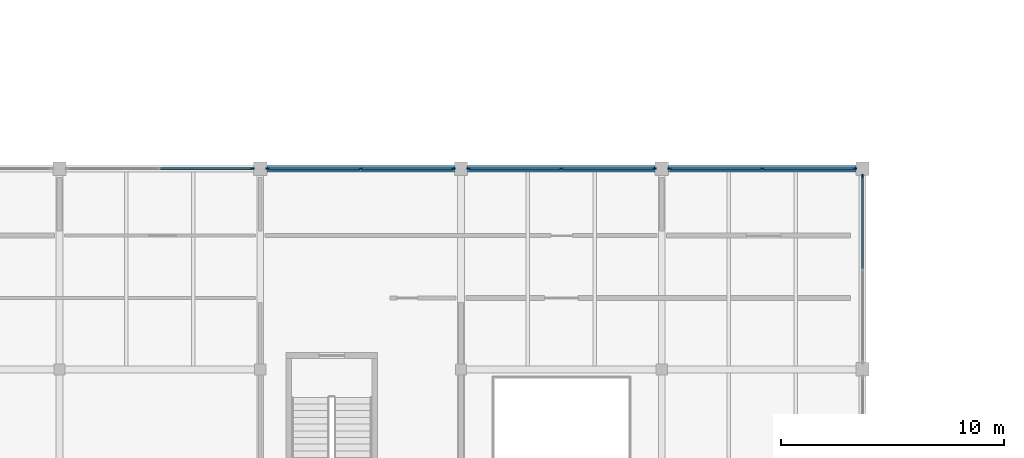
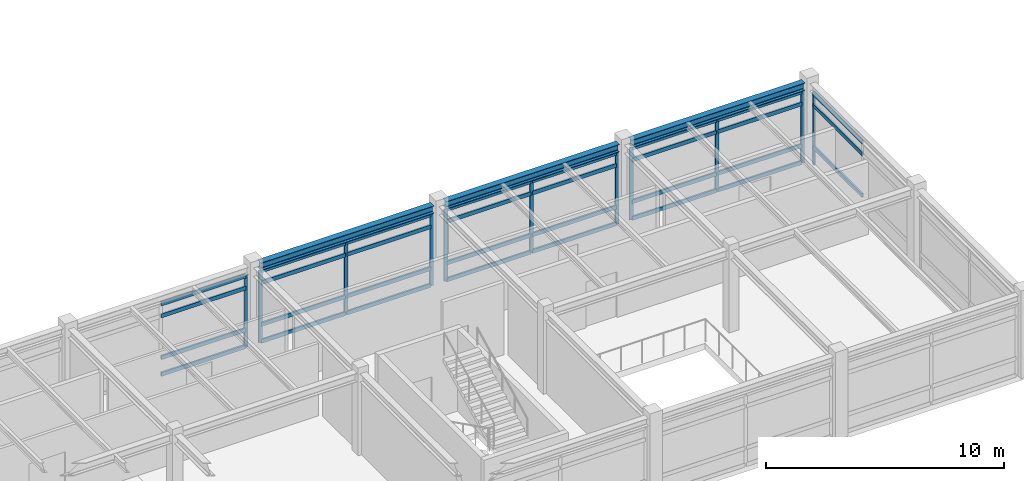
# One storey, part 9 of 33: 42 members, 3 beams, 5 elements without a shape of their own.
"""IFC4 building model written with IfcOpenShell, lengths in metres."""

from ifc_helpers import new_model, si_unit, direction, frame, origin, origin_2d, place, context, subcontext, project, spatial, rectangle, i_section, extrude, material, material_profile, profile_set, type_object, element, aggregate, save


model = new_model("IFC4")

# Units and contexts
model_context = context("Model", 3, precision=1e-05, world=origin(), true_north=direction((0.0, 1.0)))
body_context = subcontext(model_context, "Body", "Model", "MODEL_VIEW")
ifc_project = project(units=[si_unit("LENGTHUNIT", "METRE"), si_unit("AREAUNIT", "SQUARE_METRE"), si_unit("VOLUMEUNIT", "CUBIC_METRE"), si_unit("PLANEANGLEUNIT", "RADIAN"), si_unit("MASSUNIT", "GRAM", prefix="KILO")], contexts=[model_context])

# Site, building, storey
site_placement = place(None, origin())
site = spatial("IfcSite", under=ifc_project, at=site_placement, CompositionType="ELEMENT")
building_placement = place(site_placement, origin())
building = spatial("IfcBuilding", under=site, at=building_placement, Name="Bozkorgan Art Gallery", CompositionType="ELEMENT")
storey_placement = place(building_placement, frame((0.0, 0.0, 19.5)))
storey = spatial("IfcBuildingStorey", under=building, at=storey_placement, Name="L04", CompositionType="ELEMENT", Elevation=19.5)

# Beams
ifc_material_1 = material(Name="Steel S355J2", Category="steel")
ifc_material_profile_1 = material_profile(ifc_material_1, i_section(OverallWidth=0.300048828125, OverallDepth=0.389892578125, WebThickness=0.010986328125, FlangeThickness=0.01904296875, FilletRadius=0.027099609375, at=origin_2d()), Name="HEA 400")
ifc_profile_set_1 = profile_set([ifc_material_profile_1], Name="Steel S355J2")
beam_type = type_object("IfcBeamType", Name="BEAM-SP-65", PredefinedType="SPANDREL", material=ifc_profile_set_1)
for number, where, z_axis, x_axis, name in (
    (1, (38.300048828125, 20.0, 3.985107421875), (1.0, 0.0, 0.0), (0.0, 1.0, 0.0), "V1 L04 spandrel X (38-47, 20.0)"),
    (2, (47.300048828125, 20.0, 3.985107421875), (1.0, 0.0, 0.0), (0.0, 1.0, 0.0), "V1 L04 spandrel X (47-56, 20.0)"),
    (3, (56.300048828125, 20.0, 3.985107421875), (1.0, 0.0, 0.0), (0.0, 1.0, 0.0), "V1 L04 spandrel X (56-65, 20.0)"),
):
    element("IfcBeam", number, at=place(storey_placement, frame(where, z_axis=z_axis, x_axis=x_axis)), inside=storey, type_object=beam_type, Name=name, PredefinedType="SPANDREL", context=body_context, shape_type="SweptSolid", body=[
        extrude(i_section(OverallWidth=0.300048828125, OverallDepth=0.389892578125, WebThickness=0.010986328125, FlangeThickness=0.01904296875, FilletRadius=0.027099609375, at=origin_2d()), origin(), (0.0, 0.0, 1.0), 8.39990234375),
    ])

# Curtain wall, member
ifc_material_2 = material(Name="Anodised Bronze Aluminium", Category="aluminium")
curtain_wall_type = type_object("IfcCurtainWallType", Name="CW-CW-71", PredefinedType="NOTDEFINED", material=ifc_material_2)
curtain_wall_1_placement = place(storey_placement, origin())
curtain_wall_1 = element("IfcCurtainWall", 4, at=curtain_wall_1_placement, inside=storey, type_object=curtain_wall_type, Name="L04 unitised curtain wall CW-V1-L04-1N-08", PredefinedType="NOTDEFINED")
ifc_material_profile_2 = material_profile(ifc_material_2, rectangle(XDim=0.06494140625, YDim=0.179931640625, at=origin_2d()), Name="ALU MULLION 65x180")
ifc_profile_set_2 = profile_set([ifc_material_profile_2], Name="Anodised Bronze Aluminium")
member_type_1 = type_object("IfcMemberType", Name="CWM-01", PredefinedType="MULLION", material=ifc_profile_set_2)
member_1_placement = place(storey_placement, frame((37.652587890625, 20.0, 0.02001953125), z_axis=(0.0, 0.0, 1.0), x_axis=(0.0, 1.0, 0.0)))
member_1 = element("IfcMember", 5, at=member_1_placement, type_object=member_type_1, Name="CW-71 mullion 3", PredefinedType="MULLION", context=body_context, shape_type="SweptSolid", body=[
    extrude(rectangle(XDim=0.06494140625, YDim=0.179931640625, at=origin_2d()), origin(), (0.0, 0.0, 1.0), 3.695068359375),
])

# Curtain wall, members
curtain_wall_2_placement = place(storey_placement, origin())
curtain_wall_2 = element("IfcCurtainWall", 6, at=curtain_wall_2_placement, inside=storey, type_object=curtain_wall_type, Name="L04 unitised curtain wall CW-V1-L04-1N-10", PredefinedType="NOTDEFINED")
member_2_placement = place(storey_placement, frame((38.347412109375, 20.0, 0.02001953125), z_axis=(0.0, 0.0, 1.0), x_axis=(0.0, 1.0, 0.0)))
member_2 = element("IfcMember", 7, at=member_2_placement, type_object=member_type_1, Name="CW-71 mullion 1", PredefinedType="MULLION", context=body_context, shape_type="SweptSolid", body=[
    extrude(rectangle(XDim=0.06494140625, YDim=0.179931640625, at=origin_2d()), origin(), (0.0, 0.0, 1.0), 3.695068359375),
])
member_3_placement = place(storey_placement, frame((42.5, 20.0, 0.02001953125), z_axis=(0.0, 0.0, 1.0), x_axis=(0.0, 1.0, 0.0)))
member_3 = element("IfcMember", 8, at=member_3_placement, type_object=member_type_1, Name="CW-71 mullion 2", PredefinedType="MULLION", context=body_context, shape_type="SweptSolid", body=[
    extrude(rectangle(XDim=0.06494140625, YDim=0.179931640625, at=origin_2d()), origin(), (0.0, 0.0, 1.0), 3.695068359375),
])
member_4_placement = place(storey_placement, frame((46.652587890625, 20.0, 0.02001953125), z_axis=(0.0, 0.0, 1.0), x_axis=(0.0, 1.0, 0.0)))
member_4 = element("IfcMember", 9, at=member_4_placement, type_object=member_type_1, Name="CW-71 mullion 3", PredefinedType="MULLION", context=body_context, shape_type="SweptSolid", body=[
    extrude(rectangle(XDim=0.06494140625, YDim=0.179931640625, at=origin_2d()), origin(), (0.0, 0.0, 1.0), 3.695068359375),
])

curtain_wall_3_placement = place(storey_placement, origin())
curtain_wall_3 = element("IfcCurtainWall", 10, at=curtain_wall_3_placement, inside=storey, type_object=curtain_wall_type, Name="L04 unitised curtain wall CW-V1-L04-1N-12", PredefinedType="NOTDEFINED")
member_5_placement = place(storey_placement, frame((47.347412109375, 20.0, 0.02001953125), z_axis=(0.0, 0.0, 1.0), x_axis=(0.0, 1.0, 0.0)))
member_5 = element("IfcMember", 11, at=member_5_placement, type_object=member_type_1, Name="CW-71 mullion 1", PredefinedType="MULLION", context=body_context, shape_type="SweptSolid", body=[
    extrude(rectangle(XDim=0.06494140625, YDim=0.179931640625, at=origin_2d()), origin(), (0.0, 0.0, 1.0), 3.695068359375),
])
member_6_placement = place(storey_placement, frame((51.5, 20.0, 0.02001953125), z_axis=(0.0, 0.0, 1.0), x_axis=(0.0, 1.0, 0.0)))
member_6 = element("IfcMember", 12, at=member_6_placement, type_object=member_type_1, Name="CW-71 mullion 2", PredefinedType="MULLION", context=body_context, shape_type="SweptSolid", body=[
    extrude(rectangle(XDim=0.06494140625, YDim=0.179931640625, at=origin_2d()), origin(), (0.0, 0.0, 1.0), 3.695068359375),
])
member_7_placement = place(storey_placement, frame((55.652587890625, 20.0, 0.02001953125), z_axis=(0.0, 0.0, 1.0), x_axis=(0.0, 1.0, 0.0)))
member_7 = element("IfcMember", 13, at=member_7_placement, type_object=member_type_1, Name="CW-71 mullion 3", PredefinedType="MULLION", context=body_context, shape_type="SweptSolid", body=[
    extrude(rectangle(XDim=0.06494140625, YDim=0.179931640625, at=origin_2d()), origin(), (0.0, 0.0, 1.0), 3.695068359375),
])

curtain_wall_4_placement = place(storey_placement, origin())
curtain_wall_4 = element("IfcCurtainWall", 14, at=curtain_wall_4_placement, inside=storey, type_object=curtain_wall_type, Name="L04 unitised curtain wall CW-V1-L04-1N-14", PredefinedType="NOTDEFINED")
member_8_placement = place(storey_placement, frame((56.347412109375, 20.0, 0.02001953125), z_axis=(0.0, 0.0, 1.0), x_axis=(0.0, 1.0, 0.0)))
member_8 = element("IfcMember", 15, at=member_8_placement, type_object=member_type_1, Name="CW-71 mullion 1", PredefinedType="MULLION", context=body_context, shape_type="SweptSolid", body=[
    extrude(rectangle(XDim=0.06494140625, YDim=0.179931640625, at=origin_2d()), origin(), (0.0, 0.0, 1.0), 3.695068359375),
])
member_9_placement = place(storey_placement, frame((60.5, 20.0, 0.02001953125), z_axis=(0.0, 0.0, 1.0), x_axis=(0.0, 1.0, 0.0)))
member_9 = element("IfcMember", 16, at=member_9_placement, type_object=member_type_1, Name="CW-71 mullion 2", PredefinedType="MULLION", context=body_context, shape_type="SweptSolid", body=[
    extrude(rectangle(XDim=0.06494140625, YDim=0.179931640625, at=origin_2d()), origin(), (0.0, 0.0, 1.0), 3.695068359375),
])
member_10_placement = place(storey_placement, frame((64.652587890625, 20.0, 0.02001953125), z_axis=(0.0, 0.0, 1.0), x_axis=(0.0, 1.0, 0.0)))
member_10 = element("IfcMember", 17, at=member_10_placement, type_object=member_type_1, Name="CW-71 mullion 3", PredefinedType="MULLION", context=body_context, shape_type="SweptSolid", body=[
    extrude(rectangle(XDim=0.06494140625, YDim=0.179931640625, at=origin_2d()), origin(), (0.0, 0.0, 1.0), 3.695068359375),
])

# Curtain wall, member
curtain_wall_5_placement = place(storey_placement, origin())
curtain_wall_5 = element("IfcCurtainWall", 18, at=curtain_wall_5_placement, inside=storey, type_object=curtain_wall_type, Name="L04 unitised curtain wall CW-V1-L04-1E-18", PredefinedType="NOTDEFINED")
member_11_placement = place(storey_placement, frame((65.0, 19.652587890625, 0.02001953125), z_axis=(0.0, 0.0, 1.0), x_axis=(-1.0, 0.0, 0.0)))
member_11 = element("IfcMember", 19, at=member_11_placement, type_object=member_type_1, Name="CW-71 mullion 3", PredefinedType="MULLION", context=body_context, shape_type="SweptSolid", body=[
    extrude(rectangle(XDim=0.06494140625, YDim=0.179931640625, at=origin_2d()), origin(), (0.0, 0.0, 1.0), 3.695068359375),
])

# Member
ifc_material_profile_3 = material_profile(ifc_material_2, rectangle(XDim=0.080078125, YDim=0.199951171875, at=origin_2d()), Name="ALU TRANSOM 80x200")
ifc_profile_set_3 = profile_set([ifc_material_profile_3], Name="Anodised Bronze Aluminium")
member_type_2 = type_object("IfcMemberType", Name="CWT-03", PredefinedType="USERDEFINED", material=ifc_profile_set_3)
member_12_placement = place(storey_placement, frame((33.532470703125, 20.0, 0.06005859375), z_axis=(1.0, 0.0, 0.0), x_axis=(0.0, 1.0, 0.0)))
member_12 = element("IfcMember", 20, at=member_12_placement, type_object=member_type_2, Name="CW-71 transom 2.1", ObjectType="TRANSOM", PredefinedType="USERDEFINED", context=body_context, shape_type="SweptSolid", body=[
    extrude(rectangle(XDim=0.080078125, YDim=0.199951171875, at=origin_2d()), origin(), (0.0, 0.0, 1.0), 4.087646484375),
])

member_13_placement = place(storey_placement, frame((33.532470703125, 20.0, 0.919921875), z_axis=(1.0, 0.0, 0.0), x_axis=(0.0, 1.0, 0.0)))
member_13 = element("IfcMember", 21, at=member_13_placement, type_object=member_type_2, Name="CW-71 transom 2.2", ObjectType="TRANSOM", PredefinedType="USERDEFINED", context=body_context, shape_type="SweptSolid", body=[
    extrude(rectangle(XDim=0.080078125, YDim=0.199951171875, at=origin_2d()), origin(), (0.0, 0.0, 1.0), 4.087646484375),
])

member_14_placement = place(storey_placement, frame((33.532470703125, 20.0, 3.06494140625), z_axis=(1.0, 0.0, 0.0), x_axis=(0.0, 1.0, 0.0)))
member_14 = element("IfcMember", 22, at=member_14_placement, type_object=member_type_2, Name="CW-71 transom 2.3", ObjectType="TRANSOM", PredefinedType="USERDEFINED", context=body_context, shape_type="SweptSolid", body=[
    extrude(rectangle(XDim=0.080078125, YDim=0.199951171875, at=origin_2d()), origin(), (0.0, 0.0, 1.0), 4.087646484375),
])

member_15_placement = place(storey_placement, frame((33.532470703125, 20.0, 3.675048828125), z_axis=(1.0, 0.0, 0.0), x_axis=(0.0, 1.0, 0.0)))
member_15 = element("IfcMember", 23, at=member_15_placement, type_object=member_type_2, Name="CW-71 transom 2.4", ObjectType="TRANSOM", PredefinedType="USERDEFINED", context=body_context, shape_type="SweptSolid", body=[
    extrude(rectangle(XDim=0.080078125, YDim=0.199951171875, at=origin_2d()), origin(), (0.0, 0.0, 1.0), 4.087646484375),
])

aggregate(curtain_wall_1, [member_1, member_12, member_13, member_14, member_15])

member_16_placement = place(storey_placement, frame((38.3798828125, 20.0, 0.06005859375), z_axis=(1.0, 0.0, 0.0), x_axis=(0.0, 1.0, 0.0)))
member_16 = element("IfcMember", 24, at=member_16_placement, type_object=member_type_2, Name="CW-71 transom 1.1", ObjectType="TRANSOM", PredefinedType="USERDEFINED", context=body_context, shape_type="SweptSolid", body=[
    extrude(rectangle(XDim=0.080078125, YDim=0.199951171875, at=origin_2d()), origin(), (0.0, 0.0, 1.0), 4.087646484375),
])

member_17_placement = place(storey_placement, frame((38.3798828125, 20.0, 0.919921875), z_axis=(1.0, 0.0, 0.0), x_axis=(0.0, 1.0, 0.0)))
member_17 = element("IfcMember", 25, at=member_17_placement, type_object=member_type_2, Name="CW-71 transom 1.2", ObjectType="TRANSOM", PredefinedType="USERDEFINED", context=body_context, shape_type="SweptSolid", body=[
    extrude(rectangle(XDim=0.080078125, YDim=0.199951171875, at=origin_2d()), origin(), (0.0, 0.0, 1.0), 4.087646484375),
])

member_18_placement = place(storey_placement, frame((38.3798828125, 20.0, 3.06494140625), z_axis=(1.0, 0.0, 0.0), x_axis=(0.0, 1.0, 0.0)))
member_18 = element("IfcMember", 26, at=member_18_placement, type_object=member_type_2, Name="CW-71 transom 1.3", ObjectType="TRANSOM", PredefinedType="USERDEFINED", context=body_context, shape_type="SweptSolid", body=[
    extrude(rectangle(XDim=0.080078125, YDim=0.199951171875, at=origin_2d()), origin(), (0.0, 0.0, 1.0), 4.087646484375),
])

member_19_placement = place(storey_placement, frame((38.3798828125, 20.0, 3.675048828125), z_axis=(1.0, 0.0, 0.0), x_axis=(0.0, 1.0, 0.0)))
member_19 = element("IfcMember", 27, at=member_19_placement, type_object=member_type_2, Name="CW-71 transom 1.4", ObjectType="TRANSOM", PredefinedType="USERDEFINED", context=body_context, shape_type="SweptSolid", body=[
    extrude(rectangle(XDim=0.080078125, YDim=0.199951171875, at=origin_2d()), origin(), (0.0, 0.0, 1.0), 4.087646484375),
])

member_20_placement = place(storey_placement, frame((42.532470703125, 20.0, 0.06005859375), z_axis=(1.0, 0.0, 0.0), x_axis=(0.0, 1.0, 0.0)))
member_20 = element("IfcMember", 28, at=member_20_placement, type_object=member_type_2, Name="CW-71 transom 2.1", ObjectType="TRANSOM", PredefinedType="USERDEFINED", context=body_context, shape_type="SweptSolid", body=[
    extrude(rectangle(XDim=0.080078125, YDim=0.199951171875, at=origin_2d()), origin(), (0.0, 0.0, 1.0), 4.087646484375),
])

member_21_placement = place(storey_placement, frame((42.532470703125, 20.0, 0.919921875), z_axis=(1.0, 0.0, 0.0), x_axis=(0.0, 1.0, 0.0)))
member_21 = element("IfcMember", 29, at=member_21_placement, type_object=member_type_2, Name="CW-71 transom 2.2", ObjectType="TRANSOM", PredefinedType="USERDEFINED", context=body_context, shape_type="SweptSolid", body=[
    extrude(rectangle(XDim=0.080078125, YDim=0.199951171875, at=origin_2d()), origin(), (0.0, 0.0, 1.0), 4.087646484375),
])

member_22_placement = place(storey_placement, frame((42.532470703125, 20.0, 3.06494140625), z_axis=(1.0, 0.0, 0.0), x_axis=(0.0, 1.0, 0.0)))
member_22 = element("IfcMember", 30, at=member_22_placement, type_object=member_type_2, Name="CW-71 transom 2.3", ObjectType="TRANSOM", PredefinedType="USERDEFINED", context=body_context, shape_type="SweptSolid", body=[
    extrude(rectangle(XDim=0.080078125, YDim=0.199951171875, at=origin_2d()), origin(), (0.0, 0.0, 1.0), 4.087646484375),
])

member_23_placement = place(storey_placement, frame((42.532470703125, 20.0, 3.675048828125), z_axis=(1.0, 0.0, 0.0), x_axis=(0.0, 1.0, 0.0)))
member_23 = element("IfcMember", 31, at=member_23_placement, type_object=member_type_2, Name="CW-71 transom 2.4", ObjectType="TRANSOM", PredefinedType="USERDEFINED", context=body_context, shape_type="SweptSolid", body=[
    extrude(rectangle(XDim=0.080078125, YDim=0.199951171875, at=origin_2d()), origin(), (0.0, 0.0, 1.0), 4.087646484375),
])

aggregate(curtain_wall_2, [member_2, member_3, member_4, member_16, member_17, member_18, member_19, member_20, member_21, member_22, member_23])

member_24_placement = place(storey_placement, frame((47.3798828125, 20.0, 0.06005859375), z_axis=(1.0, 0.0, 0.0), x_axis=(0.0, 1.0, 0.0)))
member_24 = element("IfcMember", 32, at=member_24_placement, type_object=member_type_2, Name="CW-71 transom 1.1", ObjectType="TRANSOM", PredefinedType="USERDEFINED", context=body_context, shape_type="SweptSolid", body=[
    extrude(rectangle(XDim=0.080078125, YDim=0.199951171875, at=origin_2d()), origin(), (0.0, 0.0, 1.0), 4.087646484375),
])

member_25_placement = place(storey_placement, frame((47.3798828125, 20.0, 0.919921875), z_axis=(1.0, 0.0, 0.0), x_axis=(0.0, 1.0, 0.0)))
member_25 = element("IfcMember", 33, at=member_25_placement, type_object=member_type_2, Name="CW-71 transom 1.2", ObjectType="TRANSOM", PredefinedType="USERDEFINED", context=body_context, shape_type="SweptSolid", body=[
    extrude(rectangle(XDim=0.080078125, YDim=0.199951171875, at=origin_2d()), origin(), (0.0, 0.0, 1.0), 4.087646484375),
])

member_26_placement = place(storey_placement, frame((47.3798828125, 20.0, 3.06494140625), z_axis=(1.0, 0.0, 0.0), x_axis=(0.0, 1.0, 0.0)))
member_26 = element("IfcMember", 34, at=member_26_placement, type_object=member_type_2, Name="CW-71 transom 1.3", ObjectType="TRANSOM", PredefinedType="USERDEFINED", context=body_context, shape_type="SweptSolid", body=[
    extrude(rectangle(XDim=0.080078125, YDim=0.199951171875, at=origin_2d()), origin(), (0.0, 0.0, 1.0), 4.087646484375),
])

member_27_placement = place(storey_placement, frame((47.3798828125, 20.0, 3.675048828125), z_axis=(1.0, 0.0, 0.0), x_axis=(0.0, 1.0, 0.0)))
member_27 = element("IfcMember", 35, at=member_27_placement, type_object=member_type_2, Name="CW-71 transom 1.4", ObjectType="TRANSOM", PredefinedType="USERDEFINED", context=body_context, shape_type="SweptSolid", body=[
    extrude(rectangle(XDim=0.080078125, YDim=0.199951171875, at=origin_2d()), origin(), (0.0, 0.0, 1.0), 4.087646484375),
])

member_28_placement = place(storey_placement, frame((51.532470703125, 20.0, 0.06005859375), z_axis=(1.0, 0.0, 0.0), x_axis=(0.0, 1.0, 0.0)))
member_28 = element("IfcMember", 36, at=member_28_placement, type_object=member_type_2, Name="CW-71 transom 2.1", ObjectType="TRANSOM", PredefinedType="USERDEFINED", context=body_context, shape_type="SweptSolid", body=[
    extrude(rectangle(XDim=0.080078125, YDim=0.199951171875, at=origin_2d()), origin(), (0.0, 0.0, 1.0), 4.087646484375),
])

member_29_placement = place(storey_placement, frame((51.532470703125, 20.0, 0.919921875), z_axis=(1.0, 0.0, 0.0), x_axis=(0.0, 1.0, 0.0)))
member_29 = element("IfcMember", 37, at=member_29_placement, type_object=member_type_2, Name="CW-71 transom 2.2", ObjectType="TRANSOM", PredefinedType="USERDEFINED", context=body_context, shape_type="SweptSolid", body=[
    extrude(rectangle(XDim=0.080078125, YDim=0.199951171875, at=origin_2d()), origin(), (0.0, 0.0, 1.0), 4.087646484375),
])

member_30_placement = place(storey_placement, frame((51.532470703125, 20.0, 3.06494140625), z_axis=(1.0, 0.0, 0.0), x_axis=(0.0, 1.0, 0.0)))
member_30 = element("IfcMember", 38, at=member_30_placement, type_object=member_type_2, Name="CW-71 transom 2.3", ObjectType="TRANSOM", PredefinedType="USERDEFINED", context=body_context, shape_type="SweptSolid", body=[
    extrude(rectangle(XDim=0.080078125, YDim=0.199951171875, at=origin_2d()), origin(), (0.0, 0.0, 1.0), 4.087646484375),
])

member_31_placement = place(storey_placement, frame((51.532470703125, 20.0, 3.675048828125), z_axis=(1.0, 0.0, 0.0), x_axis=(0.0, 1.0, 0.0)))
member_31 = element("IfcMember", 39, at=member_31_placement, type_object=member_type_2, Name="CW-71 transom 2.4", ObjectType="TRANSOM", PredefinedType="USERDEFINED", context=body_context, shape_type="SweptSolid", body=[
    extrude(rectangle(XDim=0.080078125, YDim=0.199951171875, at=origin_2d()), origin(), (0.0, 0.0, 1.0), 4.087646484375),
])

aggregate(curtain_wall_3, [member_5, member_6, member_7, member_24, member_25, member_26, member_27, member_28, member_29, member_30, member_31])

member_32_placement = place(storey_placement, frame((56.3798828125, 20.0, 0.06005859375), z_axis=(1.0, 0.0, 0.0), x_axis=(0.0, 1.0, 0.0)))
member_32 = element("IfcMember", 40, at=member_32_placement, type_object=member_type_2, Name="CW-71 transom 1.1", ObjectType="TRANSOM", PredefinedType="USERDEFINED", context=body_context, shape_type="SweptSolid", body=[
    extrude(rectangle(XDim=0.080078125, YDim=0.199951171875, at=origin_2d()), origin(), (0.0, 0.0, 1.0), 4.087646484375),
])

member_33_placement = place(storey_placement, frame((56.3798828125, 20.0, 0.919921875), z_axis=(1.0, 0.0, 0.0), x_axis=(0.0, 1.0, 0.0)))
member_33 = element("IfcMember", 41, at=member_33_placement, type_object=member_type_2, Name="CW-71 transom 1.2", ObjectType="TRANSOM", PredefinedType="USERDEFINED", context=body_context, shape_type="SweptSolid", body=[
    extrude(rectangle(XDim=0.080078125, YDim=0.199951171875, at=origin_2d()), origin(), (0.0, 0.0, 1.0), 4.087646484375),
])

member_34_placement = place(storey_placement, frame((56.3798828125, 20.0, 3.06494140625), z_axis=(1.0, 0.0, 0.0), x_axis=(0.0, 1.0, 0.0)))
member_34 = element("IfcMember", 42, at=member_34_placement, type_object=member_type_2, Name="CW-71 transom 1.3", ObjectType="TRANSOM", PredefinedType="USERDEFINED", context=body_context, shape_type="SweptSolid", body=[
    extrude(rectangle(XDim=0.080078125, YDim=0.199951171875, at=origin_2d()), origin(), (0.0, 0.0, 1.0), 4.087646484375),
])

member_35_placement = place(storey_placement, frame((56.3798828125, 20.0, 3.675048828125), z_axis=(1.0, 0.0, 0.0), x_axis=(0.0, 1.0, 0.0)))
member_35 = element("IfcMember", 43, at=member_35_placement, type_object=member_type_2, Name="CW-71 transom 1.4", ObjectType="TRANSOM", PredefinedType="USERDEFINED", context=body_context, shape_type="SweptSolid", body=[
    extrude(rectangle(XDim=0.080078125, YDim=0.199951171875, at=origin_2d()), origin(), (0.0, 0.0, 1.0), 4.087646484375),
])

member_36_placement = place(storey_placement, frame((60.532470703125, 20.0, 0.06005859375), z_axis=(1.0, 0.0, 0.0), x_axis=(0.0, 1.0, 0.0)))
member_36 = element("IfcMember", 44, at=member_36_placement, type_object=member_type_2, Name="CW-71 transom 2.1", ObjectType="TRANSOM", PredefinedType="USERDEFINED", context=body_context, shape_type="SweptSolid", body=[
    extrude(rectangle(XDim=0.080078125, YDim=0.199951171875, at=origin_2d()), origin(), (0.0, 0.0, 1.0), 4.087646484375),
])

member_37_placement = place(storey_placement, frame((60.532470703125, 20.0, 0.919921875), z_axis=(1.0, 0.0, 0.0), x_axis=(0.0, 1.0, 0.0)))
member_37 = element("IfcMember", 45, at=member_37_placement, type_object=member_type_2, Name="CW-71 transom 2.2", ObjectType="TRANSOM", PredefinedType="USERDEFINED", context=body_context, shape_type="SweptSolid", body=[
    extrude(rectangle(XDim=0.080078125, YDim=0.199951171875, at=origin_2d()), origin(), (0.0, 0.0, 1.0), 4.087646484375),
])

member_38_placement = place(storey_placement, frame((60.532470703125, 20.0, 3.06494140625), z_axis=(1.0, 0.0, 0.0), x_axis=(0.0, 1.0, 0.0)))
member_38 = element("IfcMember", 46, at=member_38_placement, type_object=member_type_2, Name="CW-71 transom 2.3", ObjectType="TRANSOM", PredefinedType="USERDEFINED", context=body_context, shape_type="SweptSolid", body=[
    extrude(rectangle(XDim=0.080078125, YDim=0.199951171875, at=origin_2d()), origin(), (0.0, 0.0, 1.0), 4.087646484375),
])

member_39_placement = place(storey_placement, frame((60.532470703125, 20.0, 3.675048828125), z_axis=(1.0, 0.0, 0.0), x_axis=(0.0, 1.0, 0.0)))
member_39 = element("IfcMember", 47, at=member_39_placement, type_object=member_type_2, Name="CW-71 transom 2.4", ObjectType="TRANSOM", PredefinedType="USERDEFINED", context=body_context, shape_type="SweptSolid", body=[
    extrude(rectangle(XDim=0.080078125, YDim=0.199951171875, at=origin_2d()), origin(), (0.0, 0.0, 1.0), 4.087646484375),
])

aggregate(curtain_wall_4, [member_8, member_9, member_10, member_32, member_33, member_34, member_35, member_36, member_37, member_38, member_39])

member_40_placement = place(storey_placement, frame((65.0, 15.532470703125, 0.919921875), z_axis=(0.0, 1.0, 0.0), x_axis=(-1.0, 0.0, 0.0)))
member_40 = element("IfcMember", 48, at=member_40_placement, type_object=member_type_2, Name="CW-71 transom 2.2", ObjectType="TRANSOM", PredefinedType="USERDEFINED", context=body_context, shape_type="SweptSolid", body=[
    extrude(rectangle(XDim=0.080078125, YDim=0.199951171875, at=origin_2d()), origin(), (0.0, 0.0, 1.0), 4.087646484375),
])

member_41_placement = place(storey_placement, frame((65.0, 15.532470703125, 3.06494140625), z_axis=(0.0, 1.0, 0.0), x_axis=(-1.0, 0.0, 0.0)))
member_41 = element("IfcMember", 49, at=member_41_placement, type_object=member_type_2, Name="CW-71 transom 2.3", ObjectType="TRANSOM", PredefinedType="USERDEFINED", context=body_context, shape_type="SweptSolid", body=[
    extrude(rectangle(XDim=0.080078125, YDim=0.199951171875, at=origin_2d()), origin(), (0.0, 0.0, 1.0), 4.087646484375),
])

member_42_placement = place(storey_placement, frame((65.0, 15.532470703125, 3.675048828125), z_axis=(0.0, 1.0, 0.0), x_axis=(-1.0, 0.0, 0.0)))
member_42 = element("IfcMember", 50, at=member_42_placement, type_object=member_type_2, Name="CW-71 transom 2.4", ObjectType="TRANSOM", PredefinedType="USERDEFINED", context=body_context, shape_type="SweptSolid", body=[
    extrude(rectangle(XDim=0.080078125, YDim=0.199951171875, at=origin_2d()), origin(), (0.0, 0.0, 1.0), 4.087646484375),
])

aggregate(curtain_wall_5, [member_11, member_40, member_41, member_42])

save(model, "model.ifc")
